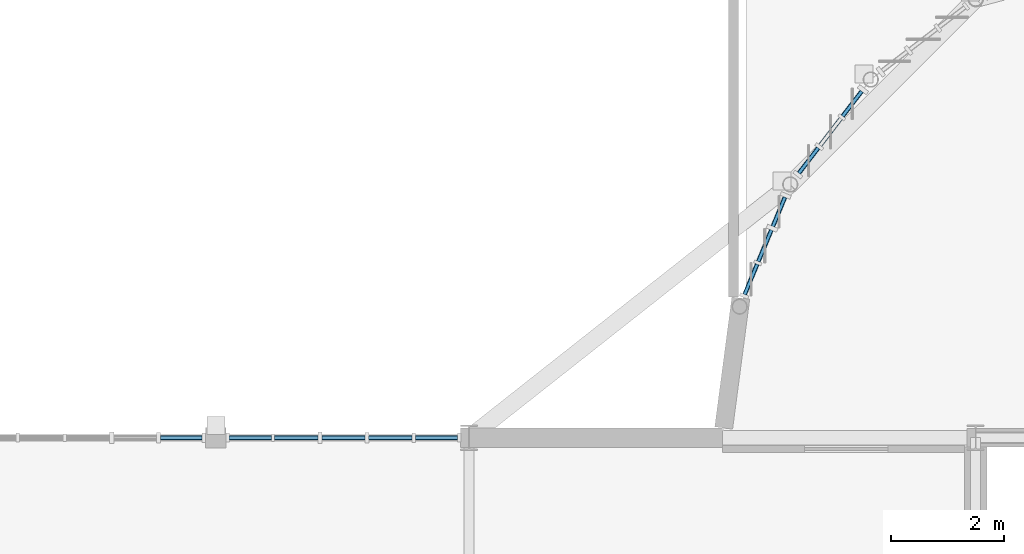
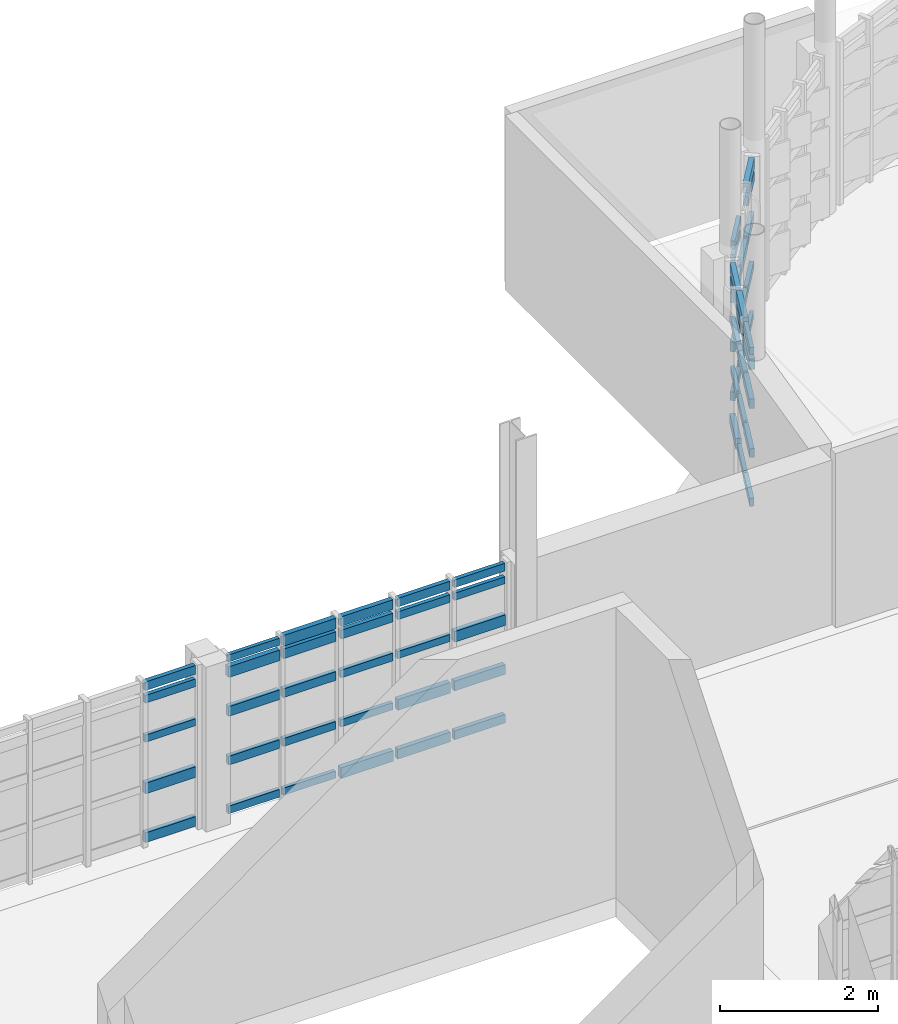
# One storey, part 23 of 44: 58 members, 4 elements without a shape of their own.
"""IFC4 building model written with IfcOpenShell, lengths in metres."""

from ifc_helpers import new_model, si_unit, direction, frame, origin, origin_2d, place, context, subcontext, project, spatial, rectangle, extrude, material, material_profile, profile_set, type_object, element, aggregate, save


model = new_model("IFC4")

# Units and contexts
model_context = context("Model", 3, precision=1e-05, world=origin(), true_north=direction((0.0, 1.0)))
body_context = subcontext(model_context, "Body", "Model", "MODEL_VIEW")
ifc_project = project(units=[si_unit("LENGTHUNIT", "METRE"), si_unit("AREAUNIT", "SQUARE_METRE"), si_unit("VOLUMEUNIT", "CUBIC_METRE"), si_unit("PLANEANGLEUNIT", "RADIAN"), si_unit("MASSUNIT", "GRAM", prefix="KILO")], contexts=[model_context])

# Site, building, storey
site_placement = place(None, origin())
site = spatial("IfcSite", under=ifc_project, at=site_placement, CompositionType="ELEMENT")
building_placement = place(site_placement, origin())
building = spatial("IfcBuilding", under=site, at=building_placement, Name="Serraforn Aerial Cableway Station", CompositionType="ELEMENT")
storey_placement = place(building_placement, frame((0.0, 0.0, 13.800048828125)))
storey = spatial("IfcBuildingStorey", under=building, at=storey_placement, Name="L03", CompositionType="ELEMENT", Elevation=13.800048828125)

# Curtain wall, members
ifc_material_1 = material(Name="Anodised bronze unitised curtain wall")
curtain_wall_type_1 = type_object("IfcCurtainWallType", Name="CW-SYS-19", PredefinedType="USERDEFINED", material=ifc_material_1)
curtain_wall_1_placement = place(storey_placement, origin())
curtain_wall_1 = element("IfcCurtainWall", 1, at=curtain_wall_1_placement, inside=storey, type_object=curtain_wall_type_1, Name="Unitised Curtain Wall CW-CV-L03-N2A", ObjectType="UNITISED CURTAIN WALL", PredefinedType="USERDEFINED")
ifc_material_2 = material(Name="Anodised bronze extruded aluminium", Category="aluminium")
ifc_material_profile_1 = material_profile(ifc_material_2, rectangle(XDim=0.054931640625, YDim=0.110107421875, at=origin_2d()), Name="CW TRANSOM 55x110")
ifc_profile_set_1 = profile_set([ifc_material_profile_1], Name="Anodised bronze extruded aluminium")
member_type_1 = type_object("IfcMemberType", Name="CW-TRN-1", PredefinedType="USERDEFINED", material=ifc_profile_set_1)
member_1_placement = place(storey_placement, frame((45.39404296875, 42.0, 2.243896484375), z_axis=(-1.0, 0.0, 0.0), x_axis=(0.0, -1.0, 0.0)))
member_1 = element("IfcMember", 2, at=member_1_placement, type_object=member_type_1, Name="Curtain Wall Transom CW-CV-L03-N2A-T1-4", ObjectType="TRANSOM", PredefinedType="USERDEFINED", context=body_context, shape_type="SweptSolid", body=[
    extrude(rectangle(XDim=0.054931640625, YDim=0.110107421875, at=origin_2d()), origin(), (0.0, 0.0, 1.0), 0.745849609375),
])
member_2_placement = place(storey_placement, frame((44.587158203125, 42.0, 1.6318359375), z_axis=(-1.0, 0.0, 0.0), x_axis=(0.0, -1.0, 0.0)))
member_2 = element("IfcMember", 3, at=member_2_placement, type_object=member_type_1, Name="Curtain Wall Transom CW-CV-L03-N2A-T2-3", ObjectType="TRANSOM", PredefinedType="USERDEFINED", context=body_context, shape_type="SweptSolid", body=[
    extrude(rectangle(XDim=0.054931640625, YDim=0.110107421875, at=origin_2d()), origin(), (0.0, 0.0, 1.0), 0.77099609375),
])
member_3_placement = place(storey_placement, frame((43.750244140625, 42.0, 0.866943359375), z_axis=(-1.0, 0.0, 0.0), x_axis=(0.0, -1.0, 0.0)))
member_3 = element("IfcMember", 4, at=member_3_placement, type_object=member_type_1, Name="Curtain Wall Transom CW-CV-L03-N2A-T3-2", ObjectType="TRANSOM", PredefinedType="USERDEFINED", context=body_context, shape_type="SweptSolid", body=[
    extrude(rectangle(XDim=0.054931640625, YDim=0.110107421875, at=origin_2d()), origin(), (0.0, 0.0, 1.0), 0.765869140625),
])
member_4_placement = place(storey_placement, frame((42.913330078125, 42.0, 0.10205078125), z_axis=(-1.0, 0.0, 0.0), x_axis=(0.0, -1.0, 0.0)))
member_4 = element("IfcMember", 5, at=member_4_placement, type_object=member_type_1, Name="Curtain Wall Transom CW-CV-L03-N2A-T4-1", ObjectType="TRANSOM", PredefinedType="USERDEFINED", context=body_context, shape_type="SweptSolid", body=[
    extrude(rectangle(XDim=0.054931640625, YDim=0.110107421875, at=origin_2d()), origin(), (0.0, 0.0, 1.0), 0.7734375),
])
member_5_placement = place(storey_placement, frame((42.0888671875, 42.0, 2.447998046875), z_axis=(-1.0, 0.0, 0.0), x_axis=(0.0, -1.0, 0.0)))
member_5 = element("IfcMember", 6, at=member_5_placement, type_object=member_type_1, Name="Curtain Wall Transom CW-CV-L03-N2A-T5-5", ObjectType="TRANSOM", PredefinedType="USERDEFINED", context=body_context, shape_type="SweptSolid", body=[
    extrude(rectangle(XDim=0.054931640625, YDim=0.110107421875, at=origin_2d()), origin(), (0.0, 0.0, 1.0), 0.7509765625),
])

# Curtain wall, member
curtain_wall_type_2 = type_object("IfcCurtainWallType", Name="CW-SYS-20", PredefinedType="USERDEFINED", material=ifc_material_1)
curtain_wall_2_placement = place(storey_placement, origin())
curtain_wall_2 = element("IfcCurtainWall", 7, at=curtain_wall_2_placement, inside=storey, type_object=curtain_wall_type_2, Name="Unitised Curtain Wall CW-CV-L03-N2B", ObjectType="UNITISED CURTAIN WALL", PredefinedType="USERDEFINED")
member_6_placement = place(storey_placement, frame((40.85693359375, 42.0, 1.6318359375), z_axis=(-1.0, 0.0, 0.0), x_axis=(0.0, -1.0, 0.0)))
member_6 = element("IfcMember", 8, at=member_6_placement, type_object=member_type_1, Name="Curtain Wall Transom CW-CV-L03-N2B-T1-3", ObjectType="TRANSOM", PredefinedType="USERDEFINED", context=body_context, shape_type="SweptSolid", body=[
    extrude(rectangle(XDim=0.054931640625, YDim=0.110107421875, at=origin_2d()), origin(), (0.0, 0.0, 1.0), 0.73828125),
])

# Curtain wall, members
curtain_wall_type_3 = type_object("IfcCurtainWallType", Name="CW-SYS-21", PredefinedType="USERDEFINED", material=ifc_material_1)
curtain_wall_3_placement = place(storey_placement, origin())
curtain_wall_3 = element("IfcCurtainWall", 9, at=curtain_wall_3_placement, inside=storey, type_object=curtain_wall_type_3, Name="Unitised Curtain Wall CW-AP-L03-R2", ObjectType="UNITISED CURTAIN WALL", PredefinedType="USERDEFINED")
member_7_placement = place(storey_placement, frame((51.21240234375, 46.2744140625, 0.866943359375), z_axis=(-0.382517967421, -0.923948052977, 0.0), x_axis=(0.923948052977, -0.382517967421, 0.0)))
member_7 = element("IfcMember", 10, at=member_7_placement, type_object=member_type_1, Name="Curtain Wall Transom CW-AP-L03-R2-T1-2", ObjectType="TRANSOM", PredefinedType="USERDEFINED", context=body_context, shape_type="SweptSolid", body=[
    extrude(rectangle(XDim=0.054931640625, YDim=0.110107421875, at=origin_2d()), origin(), (0.0, 0.0, 1.0), 0.562255859375),
])
member_8_placement = place(storey_placement, frame((50.969970703125, 45.689453125, 0.10205078125), z_axis=(-0.382435018796, -0.923982389658, 0.0), x_axis=(0.923982389658, -0.382435018796, 0.0)))
member_8 = element("IfcMember", 11, at=member_8_placement, type_object=member_type_1, Name="Curtain Wall Transom CW-AP-L03-R2-T2-1", ObjectType="TRANSOM", PredefinedType="USERDEFINED", context=body_context, shape_type="SweptSolid", body=[
    extrude(rectangle(XDim=0.054931640625, YDim=0.110107421875, at=origin_2d()), origin(), (0.0, 0.0, 1.0), 0.6044921875),
])
member_9_placement = place(storey_placement, frame((50.718994140625, 45.083740234375, 2.447998046875), z_axis=(-0.382499964393, -0.923955506093, 0.0), x_axis=(0.923955506093, -0.382499964393, 0.0)))
member_9 = element("IfcMember", 12, at=member_9_placement, type_object=member_type_1, Name="Curtain Wall Transom CW-AP-L03-R2-T3-5", ObjectType="TRANSOM", PredefinedType="USERDEFINED", context=body_context, shape_type="SweptSolid", body=[
    extrude(rectangle(XDim=0.054931640625, YDim=0.110107421875, at=origin_2d()), origin(), (0.0, 0.0, 1.0), 0.58203125),
])

curtain_wall_type_4 = type_object("IfcCurtainWallType", Name="CW-SYS-22", PredefinedType="USERDEFINED", material=ifc_material_1)
curtain_wall_4_placement = place(storey_placement, origin())
curtain_wall_4 = element("IfcCurtainWall", 13, at=curtain_wall_4_placement, inside=storey, type_object=curtain_wall_type_4, Name="Unitised Curtain Wall CW-AP-L03-R3", ObjectType="UNITISED CURTAIN WALL", PredefinedType="USERDEFINED")
member_10_placement = place(storey_placement, frame((52.576416015625, 48.15576171875, 0.10205078125), z_axis=(-0.609055526653, -0.7931275846, 0.0), x_axis=(0.7931275846, -0.609055526653, 0.0)))
member_10 = element("IfcMember", 14, at=member_10_placement, type_object=member_type_1, Name="Curtain Wall Transom CW-AP-L03-R3-T1-1", ObjectType="TRANSOM", PredefinedType="USERDEFINED", context=body_context, shape_type="SweptSolid", body=[
    extrude(rectangle(XDim=0.054931640625, YDim=0.110107421875, at=origin_2d()), origin(), (0.0, 0.0, 1.0), 0.558349609375),
])
member_11_placement = place(storey_placement, frame((51.803955078125, 47.149169921875, 2.243896484375), z_axis=(-0.608730383313, -0.793377161526, 0.0), x_axis=(0.793377161526, -0.608730383313, 0.0)))
member_11 = element("IfcMember", 15, at=member_11_placement, type_object=member_type_1, Name="Curtain Wall Transom CW-AP-L03-R3-T3-4", ObjectType="TRANSOM", PredefinedType="USERDEFINED", context=body_context, shape_type="SweptSolid", body=[
    extrude(rectangle(XDim=0.054931640625, YDim=0.110107421875, at=origin_2d()), origin(), (0.0, 0.0, 1.0), 0.56591796875),
])

# Member
ifc_material_profile_2 = material_profile(ifc_material_2, rectangle(XDim=0.06005859375, YDim=0.1201171875, at=origin_2d()), Name="CW TRANSOM 60x120")
ifc_profile_set_2 = profile_set([ifc_material_profile_2], Name="Anodised bronze extruded aluminium")
member_type_2 = type_object("IfcMemberType", Name="CW-TRN-2", PredefinedType="USERDEFINED", material=ifc_profile_set_2)
member_12_placement = place(storey_placement, frame((45.39404296875, 42.0, 2.447998046875), z_axis=(-1.0, 0.0, 0.0), x_axis=(0.0, -1.0, 0.0)))
member_12 = element("IfcMember", 16, at=member_12_placement, type_object=member_type_2, Name="Curtain Wall Transom CW-CV-L03-N2A-T1-5", ObjectType="TRANSOM", PredefinedType="USERDEFINED", context=body_context, shape_type="SweptSolid", body=[
    extrude(rectangle(XDim=0.06005859375, YDim=0.1201171875, at=origin_2d()), origin(), (0.0, 0.0, 1.0), 0.745849609375),
])

member_13_placement = place(storey_placement, frame((44.587158203125, 42.0, 2.243896484375), z_axis=(-1.0, 0.0, 0.0), x_axis=(0.0, -1.0, 0.0)))
member_13 = element("IfcMember", 17, at=member_13_placement, type_object=member_type_2, Name="Curtain Wall Transom CW-CV-L03-N2A-T2-4", ObjectType="TRANSOM", PredefinedType="USERDEFINED", context=body_context, shape_type="SweptSolid", body=[
    extrude(rectangle(XDim=0.06005859375, YDim=0.1201171875, at=origin_2d()), origin(), (0.0, 0.0, 1.0), 0.77099609375),
])

member_14_placement = place(storey_placement, frame((43.750244140625, 42.0, 1.6318359375), z_axis=(-1.0, 0.0, 0.0), x_axis=(0.0, -1.0, 0.0)))
member_14 = element("IfcMember", 18, at=member_14_placement, type_object=member_type_2, Name="Curtain Wall Transom CW-CV-L03-N2A-T3-3", ObjectType="TRANSOM", PredefinedType="USERDEFINED", context=body_context, shape_type="SweptSolid", body=[
    extrude(rectangle(XDim=0.06005859375, YDim=0.1201171875, at=origin_2d()), origin(), (0.0, 0.0, 1.0), 0.765869140625),
])

member_15_placement = place(storey_placement, frame((42.913330078125, 42.0, 0.866943359375), z_axis=(-1.0, 0.0, 0.0), x_axis=(0.0, -1.0, 0.0)))
member_15 = element("IfcMember", 19, at=member_15_placement, type_object=member_type_2, Name="Curtain Wall Transom CW-CV-L03-N2A-T4-2", ObjectType="TRANSOM", PredefinedType="USERDEFINED", context=body_context, shape_type="SweptSolid", body=[
    extrude(rectangle(XDim=0.06005859375, YDim=0.1201171875, at=origin_2d()), origin(), (0.0, 0.0, 1.0), 0.7734375),
])

member_16_placement = place(storey_placement, frame((42.0888671875, 42.0, 0.10205078125), z_axis=(-1.0, 0.0, 0.0), x_axis=(0.0, -1.0, 0.0)))
member_16 = element("IfcMember", 20, at=member_16_placement, type_object=member_type_2, Name="Curtain Wall Transom CW-CV-L03-N2A-T5-1", ObjectType="TRANSOM", PredefinedType="USERDEFINED", context=body_context, shape_type="SweptSolid", body=[
    extrude(rectangle(XDim=0.06005859375, YDim=0.1201171875, at=origin_2d()), origin(), (0.0, 0.0, 1.0), 0.7509765625),
])

member_17_placement = place(storey_placement, frame((40.85693359375, 42.0, 2.243896484375), z_axis=(-1.0, 0.0, 0.0), x_axis=(0.0, -1.0, 0.0)))
member_17 = element("IfcMember", 21, at=member_17_placement, type_object=member_type_2, Name="Curtain Wall Transom CW-CV-L03-N2B-T1-4", ObjectType="TRANSOM", PredefinedType="USERDEFINED", context=body_context, shape_type="SweptSolid", body=[
    extrude(rectangle(XDim=0.06005859375, YDim=0.1201171875, at=origin_2d()), origin(), (0.0, 0.0, 1.0), 0.73828125),
])

member_18_placement = place(storey_placement, frame((51.21240234375, 46.2744140625, 1.6318359375), z_axis=(-0.382517967421, -0.923948052977, 0.0), x_axis=(0.923948052977, -0.382517967421, 0.0)))
member_18 = element("IfcMember", 22, at=member_18_placement, type_object=member_type_2, Name="Curtain Wall Transom CW-AP-L03-R2-T1-3", ObjectType="TRANSOM", PredefinedType="USERDEFINED", context=body_context, shape_type="SweptSolid", body=[
    extrude(rectangle(XDim=0.06005859375, YDim=0.1201171875, at=origin_2d()), origin(), (0.0, 0.0, 1.0), 0.562255859375),
])

member_19_placement = place(storey_placement, frame((50.969970703125, 45.689453125, 0.866943359375), z_axis=(-0.382435018796, -0.923982389658, 0.0), x_axis=(0.923982389658, -0.382435018796, 0.0)))
member_19 = element("IfcMember", 23, at=member_19_placement, type_object=member_type_2, Name="Curtain Wall Transom CW-AP-L03-R2-T2-2", ObjectType="TRANSOM", PredefinedType="USERDEFINED", context=body_context, shape_type="SweptSolid", body=[
    extrude(rectangle(XDim=0.06005859375, YDim=0.1201171875, at=origin_2d()), origin(), (0.0, 0.0, 1.0), 0.6044921875),
])

member_20_placement = place(storey_placement, frame((50.718994140625, 45.083740234375, 0.10205078125), z_axis=(-0.382499964393, -0.923955506093, 0.0), x_axis=(0.923955506093, -0.382499964393, 0.0)))
member_20 = element("IfcMember", 24, at=member_20_placement, type_object=member_type_2, Name="Curtain Wall Transom CW-AP-L03-R2-T3-1", ObjectType="TRANSOM", PredefinedType="USERDEFINED", context=body_context, shape_type="SweptSolid", body=[
    extrude(rectangle(XDim=0.06005859375, YDim=0.1201171875, at=origin_2d()), origin(), (0.0, 0.0, 1.0), 0.58203125),
])

member_21_placement = place(storey_placement, frame((52.576416015625, 48.15576171875, 0.866943359375), z_axis=(-0.609055526653, -0.7931275846, 0.0), x_axis=(0.7931275846, -0.609055526653, 0.0)))
member_21 = element("IfcMember", 25, at=member_21_placement, type_object=member_type_2, Name="Curtain Wall Transom CW-AP-L03-R3-T1-2", ObjectType="TRANSOM", PredefinedType="USERDEFINED", context=body_context, shape_type="SweptSolid", body=[
    extrude(rectangle(XDim=0.06005859375, YDim=0.1201171875, at=origin_2d()), origin(), (0.0, 0.0, 1.0), 0.558349609375),
])

member_22_placement = place(storey_placement, frame((52.205322265625, 47.67236328125, 0.10205078125), z_axis=(-0.608830626569, -0.793300238341, 0.0), x_axis=(0.793300238341, -0.608830626569, 0.0)))
member_22 = element("IfcMember", 26, at=member_22_placement, type_object=member_type_2, Name="Curtain Wall Transom CW-AP-L03-R3-T2-1", ObjectType="TRANSOM", PredefinedType="USERDEFINED", context=body_context, shape_type="SweptSolid", body=[
    extrude(rectangle(XDim=0.06005859375, YDim=0.1201171875, at=origin_2d()), origin(), (0.0, 0.0, 1.0), 0.603515625),
])

member_23_placement = place(storey_placement, frame((51.803955078125, 47.149169921875, 2.447998046875), z_axis=(-0.608730383313, -0.793377161526, 0.0), x_axis=(0.793377161526, -0.608730383313, 0.0)))
member_23 = element("IfcMember", 27, at=member_23_placement, type_object=member_type_2, Name="Curtain Wall Transom CW-AP-L03-R3-T3-5", ObjectType="TRANSOM", PredefinedType="USERDEFINED", context=body_context, shape_type="SweptSolid", body=[
    extrude(rectangle(XDim=0.06005859375, YDim=0.1201171875, at=origin_2d()), origin(), (0.0, 0.0, 1.0), 0.56591796875),
])

ifc_material_profile_3 = material_profile(ifc_material_2, rectangle(XDim=0.06494140625, YDim=0.135009765625, at=origin_2d()), Name="CW TRANSOM 65x135")
ifc_profile_set_3 = profile_set([ifc_material_profile_3], Name="Anodised bronze extruded aluminium")
member_type_3 = type_object("IfcMemberType", Name="CW-TRN-3", PredefinedType="USERDEFINED", material=ifc_profile_set_3)
member_24_placement = place(storey_placement, frame((45.39404296875, 42.0, 0.10205078125), z_axis=(-1.0, 0.0, 0.0), x_axis=(0.0, -1.0, 0.0)))
member_24 = element("IfcMember", 28, at=member_24_placement, type_object=member_type_3, Name="Curtain Wall Transom CW-CV-L03-N2A-T1-1", ObjectType="TRANSOM", PredefinedType="USERDEFINED", context=body_context, shape_type="SweptSolid", body=[
    extrude(rectangle(XDim=0.06494140625, YDim=0.135009765625, at=origin_2d()), origin(), (0.0, 0.0, 1.0), 0.745849609375),
])

member_25_placement = place(storey_placement, frame((44.587158203125, 42.0, 2.447998046875), z_axis=(-1.0, 0.0, 0.0), x_axis=(0.0, -1.0, 0.0)))
member_25 = element("IfcMember", 29, at=member_25_placement, type_object=member_type_3, Name="Curtain Wall Transom CW-CV-L03-N2A-T2-5", ObjectType="TRANSOM", PredefinedType="USERDEFINED", context=body_context, shape_type="SweptSolid", body=[
    extrude(rectangle(XDim=0.06494140625, YDim=0.135009765625, at=origin_2d()), origin(), (0.0, 0.0, 1.0), 0.77099609375),
])

member_26_placement = place(storey_placement, frame((43.750244140625, 42.0, 2.243896484375), z_axis=(-1.0, 0.0, 0.0), x_axis=(0.0, -1.0, 0.0)))
member_26 = element("IfcMember", 30, at=member_26_placement, type_object=member_type_3, Name="Curtain Wall Transom CW-CV-L03-N2A-T3-4", ObjectType="TRANSOM", PredefinedType="USERDEFINED", context=body_context, shape_type="SweptSolid", body=[
    extrude(rectangle(XDim=0.06494140625, YDim=0.135009765625, at=origin_2d()), origin(), (0.0, 0.0, 1.0), 0.765869140625),
])

member_27_placement = place(storey_placement, frame((42.913330078125, 42.0, 1.6318359375), z_axis=(-1.0, 0.0, 0.0), x_axis=(0.0, -1.0, 0.0)))
member_27 = element("IfcMember", 31, at=member_27_placement, type_object=member_type_3, Name="Curtain Wall Transom CW-CV-L03-N2A-T4-3", ObjectType="TRANSOM", PredefinedType="USERDEFINED", context=body_context, shape_type="SweptSolid", body=[
    extrude(rectangle(XDim=0.06494140625, YDim=0.135009765625, at=origin_2d()), origin(), (0.0, 0.0, 1.0), 0.7734375),
])

member_28_placement = place(storey_placement, frame((42.0888671875, 42.0, 0.866943359375), z_axis=(-1.0, 0.0, 0.0), x_axis=(0.0, -1.0, 0.0)))
member_28 = element("IfcMember", 32, at=member_28_placement, type_object=member_type_3, Name="Curtain Wall Transom CW-CV-L03-N2A-T5-2", ObjectType="TRANSOM", PredefinedType="USERDEFINED", context=body_context, shape_type="SweptSolid", body=[
    extrude(rectangle(XDim=0.06494140625, YDim=0.135009765625, at=origin_2d()), origin(), (0.0, 0.0, 1.0), 0.7509765625),
])

member_29_placement = place(storey_placement, frame((40.85693359375, 42.0, 2.447998046875), z_axis=(-1.0, 0.0, 0.0), x_axis=(0.0, -1.0, 0.0)))
member_29 = element("IfcMember", 33, at=member_29_placement, type_object=member_type_3, Name="Curtain Wall Transom CW-CV-L03-N2B-T1-5", ObjectType="TRANSOM", PredefinedType="USERDEFINED", context=body_context, shape_type="SweptSolid", body=[
    extrude(rectangle(XDim=0.06494140625, YDim=0.135009765625, at=origin_2d()), origin(), (0.0, 0.0, 1.0), 0.73828125),
])

member_30_placement = place(storey_placement, frame((51.21240234375, 46.2744140625, 2.243896484375), z_axis=(-0.382517967421, -0.923948052977, 0.0), x_axis=(0.923948052977, -0.382517967421, 0.0)))
member_30 = element("IfcMember", 34, at=member_30_placement, type_object=member_type_3, Name="Curtain Wall Transom CW-AP-L03-R2-T1-4", ObjectType="TRANSOM", PredefinedType="USERDEFINED", context=body_context, shape_type="SweptSolid", body=[
    extrude(rectangle(XDim=0.06494140625, YDim=0.135009765625, at=origin_2d()), origin(), (0.0, 0.0, 1.0), 0.562255859375),
])

member_31_placement = place(storey_placement, frame((50.969970703125, 45.689453125, 1.6318359375), z_axis=(-0.382435018796, -0.923982389658, 0.0), x_axis=(0.923982389658, -0.382435018796, 0.0)))
member_31 = element("IfcMember", 35, at=member_31_placement, type_object=member_type_3, Name="Curtain Wall Transom CW-AP-L03-R2-T2-3", ObjectType="TRANSOM", PredefinedType="USERDEFINED", context=body_context, shape_type="SweptSolid", body=[
    extrude(rectangle(XDim=0.06494140625, YDim=0.135009765625, at=origin_2d()), origin(), (0.0, 0.0, 1.0), 0.6044921875),
])

member_32_placement = place(storey_placement, frame((50.718994140625, 45.083740234375, 0.866943359375), z_axis=(-0.382499964393, -0.923955506093, 0.0), x_axis=(0.923955506093, -0.382499964393, 0.0)))
member_32 = element("IfcMember", 36, at=member_32_placement, type_object=member_type_3, Name="Curtain Wall Transom CW-AP-L03-R2-T3-2", ObjectType="TRANSOM", PredefinedType="USERDEFINED", context=body_context, shape_type="SweptSolid", body=[
    extrude(rectangle(XDim=0.06494140625, YDim=0.135009765625, at=origin_2d()), origin(), (0.0, 0.0, 1.0), 0.58203125),
])

member_33_placement = place(storey_placement, frame((52.576416015625, 48.15576171875, 1.6318359375), z_axis=(-0.609055526653, -0.7931275846, 0.0), x_axis=(0.7931275846, -0.609055526653, 0.0)))
member_33 = element("IfcMember", 37, at=member_33_placement, type_object=member_type_3, Name="Curtain Wall Transom CW-AP-L03-R3-T1-3", ObjectType="TRANSOM", PredefinedType="USERDEFINED", context=body_context, shape_type="SweptSolid", body=[
    extrude(rectangle(XDim=0.06494140625, YDim=0.135009765625, at=origin_2d()), origin(), (0.0, 0.0, 1.0), 0.558349609375),
])

member_34_placement = place(storey_placement, frame((52.205322265625, 47.67236328125, 0.866943359375), z_axis=(-0.608830626569, -0.793300238341, 0.0), x_axis=(0.793300238341, -0.608830626569, 0.0)))
member_34 = element("IfcMember", 38, at=member_34_placement, type_object=member_type_3, Name="Curtain Wall Transom CW-AP-L03-R3-T2-2", ObjectType="TRANSOM", PredefinedType="USERDEFINED", context=body_context, shape_type="SweptSolid", body=[
    extrude(rectangle(XDim=0.06494140625, YDim=0.135009765625, at=origin_2d()), origin(), (0.0, 0.0, 1.0), 0.603515625),
])

member_35_placement = place(storey_placement, frame((51.803955078125, 47.149169921875, 0.10205078125), z_axis=(-0.608730383313, -0.793377161526, 0.0), x_axis=(0.793377161526, -0.608730383313, 0.0)))
member_35 = element("IfcMember", 39, at=member_35_placement, type_object=member_type_3, Name="Curtain Wall Transom CW-AP-L03-R3-T3-1", ObjectType="TRANSOM", PredefinedType="USERDEFINED", context=body_context, shape_type="SweptSolid", body=[
    extrude(rectangle(XDim=0.06494140625, YDim=0.135009765625, at=origin_2d()), origin(), (0.0, 0.0, 1.0), 0.56591796875),
])

ifc_material_profile_4 = material_profile(ifc_material_2, rectangle(XDim=0.070068359375, YDim=0.14990234375, at=origin_2d()), Name="CW TRANSOM 70x150")
ifc_profile_set_4 = profile_set([ifc_material_profile_4], Name="Anodised bronze extruded aluminium")
member_type_4 = type_object("IfcMemberType", Name="CW-TRN-4", PredefinedType="USERDEFINED", material=ifc_profile_set_4)
member_36_placement = place(storey_placement, frame((45.39404296875, 42.0, 0.866943359375), z_axis=(-1.0, 0.0, 0.0), x_axis=(0.0, -1.0, 0.0)))
member_36 = element("IfcMember", 40, at=member_36_placement, type_object=member_type_4, Name="Curtain Wall Transom CW-CV-L03-N2A-T1-2", ObjectType="TRANSOM", PredefinedType="USERDEFINED", context=body_context, shape_type="SweptSolid", body=[
    extrude(rectangle(XDim=0.070068359375, YDim=0.14990234375, at=origin_2d()), origin(), (0.0, 0.0, 1.0), 0.745849609375),
])

member_37_placement = place(storey_placement, frame((44.587158203125, 42.0, 0.10205078125), z_axis=(-1.0, 0.0, 0.0), x_axis=(0.0, -1.0, 0.0)))
member_37 = element("IfcMember", 41, at=member_37_placement, type_object=member_type_4, Name="Curtain Wall Transom CW-CV-L03-N2A-T2-1", ObjectType="TRANSOM", PredefinedType="USERDEFINED", context=body_context, shape_type="SweptSolid", body=[
    extrude(rectangle(XDim=0.070068359375, YDim=0.14990234375, at=origin_2d()), origin(), (0.0, 0.0, 1.0), 0.77099609375),
])

member_38_placement = place(storey_placement, frame((43.750244140625, 42.0, 2.447998046875), z_axis=(-1.0, 0.0, 0.0), x_axis=(0.0, -1.0, 0.0)))
member_38 = element("IfcMember", 42, at=member_38_placement, type_object=member_type_4, Name="Curtain Wall Transom CW-CV-L03-N2A-T3-5", ObjectType="TRANSOM", PredefinedType="USERDEFINED", context=body_context, shape_type="SweptSolid", body=[
    extrude(rectangle(XDim=0.070068359375, YDim=0.14990234375, at=origin_2d()), origin(), (0.0, 0.0, 1.0), 0.765869140625),
])

member_39_placement = place(storey_placement, frame((42.913330078125, 42.0, 2.243896484375), z_axis=(-1.0, 0.0, 0.0), x_axis=(0.0, -1.0, 0.0)))
member_39 = element("IfcMember", 43, at=member_39_placement, type_object=member_type_4, Name="Curtain Wall Transom CW-CV-L03-N2A-T4-4", ObjectType="TRANSOM", PredefinedType="USERDEFINED", context=body_context, shape_type="SweptSolid", body=[
    extrude(rectangle(XDim=0.070068359375, YDim=0.14990234375, at=origin_2d()), origin(), (0.0, 0.0, 1.0), 0.7734375),
])

member_40_placement = place(storey_placement, frame((42.0888671875, 42.0, 1.6318359375), z_axis=(-1.0, 0.0, 0.0), x_axis=(0.0, -1.0, 0.0)))
member_40 = element("IfcMember", 44, at=member_40_placement, type_object=member_type_4, Name="Curtain Wall Transom CW-CV-L03-N2A-T5-3", ObjectType="TRANSOM", PredefinedType="USERDEFINED", context=body_context, shape_type="SweptSolid", body=[
    extrude(rectangle(XDim=0.070068359375, YDim=0.14990234375, at=origin_2d()), origin(), (0.0, 0.0, 1.0), 0.7509765625),
])

member_41_placement = place(storey_placement, frame((40.85693359375, 42.0, 0.10205078125), z_axis=(-1.0, 0.0, 0.0), x_axis=(0.0, -1.0, 0.0)))
member_41 = element("IfcMember", 45, at=member_41_placement, type_object=member_type_4, Name="Curtain Wall Transom CW-CV-L03-N2B-T1-1", ObjectType="TRANSOM", PredefinedType="USERDEFINED", context=body_context, shape_type="SweptSolid", body=[
    extrude(rectangle(XDim=0.070068359375, YDim=0.14990234375, at=origin_2d()), origin(), (0.0, 0.0, 1.0), 0.73828125),
])

member_42_placement = place(storey_placement, frame((51.21240234375, 46.2744140625, 2.447998046875), z_axis=(-0.382517967421, -0.923948052977, 0.0), x_axis=(0.923948052977, -0.382517967421, 0.0)))
member_42 = element("IfcMember", 46, at=member_42_placement, type_object=member_type_4, Name="Curtain Wall Transom CW-AP-L03-R2-T1-5", ObjectType="TRANSOM", PredefinedType="USERDEFINED", context=body_context, shape_type="SweptSolid", body=[
    extrude(rectangle(XDim=0.070068359375, YDim=0.14990234375, at=origin_2d()), origin(), (0.0, 0.0, 1.0), 0.562255859375),
])

member_43_placement = place(storey_placement, frame((50.969970703125, 45.689453125, 2.243896484375), z_axis=(-0.382435018796, -0.923982389658, 0.0), x_axis=(0.923982389658, -0.382435018796, 0.0)))
member_43 = element("IfcMember", 47, at=member_43_placement, type_object=member_type_4, Name="Curtain Wall Transom CW-AP-L03-R2-T2-4", ObjectType="TRANSOM", PredefinedType="USERDEFINED", context=body_context, shape_type="SweptSolid", body=[
    extrude(rectangle(XDim=0.070068359375, YDim=0.14990234375, at=origin_2d()), origin(), (0.0, 0.0, 1.0), 0.6044921875),
])

member_44_placement = place(storey_placement, frame((50.718994140625, 45.083740234375, 1.6318359375), z_axis=(-0.382499964393, -0.923955506093, 0.0), x_axis=(0.923955506093, -0.382499964393, 0.0)))
member_44 = element("IfcMember", 48, at=member_44_placement, type_object=member_type_4, Name="Curtain Wall Transom CW-AP-L03-R2-T3-3", ObjectType="TRANSOM", PredefinedType="USERDEFINED", context=body_context, shape_type="SweptSolid", body=[
    extrude(rectangle(XDim=0.070068359375, YDim=0.14990234375, at=origin_2d()), origin(), (0.0, 0.0, 1.0), 0.58203125),
])

member_45_placement = place(storey_placement, frame((52.576416015625, 48.15576171875, 2.243896484375), z_axis=(-0.609055526653, -0.7931275846, 0.0), x_axis=(0.7931275846, -0.609055526653, 0.0)))
member_45 = element("IfcMember", 49, at=member_45_placement, type_object=member_type_4, Name="Curtain Wall Transom CW-AP-L03-R3-T1-4", ObjectType="TRANSOM", PredefinedType="USERDEFINED", context=body_context, shape_type="SweptSolid", body=[
    extrude(rectangle(XDim=0.070068359375, YDim=0.14990234375, at=origin_2d()), origin(), (0.0, 0.0, 1.0), 0.558349609375),
])

member_46_placement = place(storey_placement, frame((52.205322265625, 47.67236328125, 1.6318359375), z_axis=(-0.608830626569, -0.793300238341, 0.0), x_axis=(0.793300238341, -0.608830626569, 0.0)))
member_46 = element("IfcMember", 50, at=member_46_placement, type_object=member_type_4, Name="Curtain Wall Transom CW-AP-L03-R3-T2-3", ObjectType="TRANSOM", PredefinedType="USERDEFINED", context=body_context, shape_type="SweptSolid", body=[
    extrude(rectangle(XDim=0.070068359375, YDim=0.14990234375, at=origin_2d()), origin(), (0.0, 0.0, 1.0), 0.603515625),
])

member_47_placement = place(storey_placement, frame((51.803955078125, 47.149169921875, 0.866943359375), z_axis=(-0.608730383313, -0.793377161526, 0.0), x_axis=(0.793377161526, -0.608730383313, 0.0)))
member_47 = element("IfcMember", 51, at=member_47_placement, type_object=member_type_4, Name="Curtain Wall Transom CW-AP-L03-R3-T3-2", ObjectType="TRANSOM", PredefinedType="USERDEFINED", context=body_context, shape_type="SweptSolid", body=[
    extrude(rectangle(XDim=0.070068359375, YDim=0.14990234375, at=origin_2d()), origin(), (0.0, 0.0, 1.0), 0.56591796875),
])

ifc_material_profile_5 = material_profile(ifc_material_2, rectangle(XDim=0.074951171875, YDim=0.1650390625, at=origin_2d()), Name="CW TRANSOM 75x165")
ifc_profile_set_5 = profile_set([ifc_material_profile_5], Name="Anodised bronze extruded aluminium")
member_type_5 = type_object("IfcMemberType", Name="CW-TRN-5", PredefinedType="USERDEFINED", material=ifc_profile_set_5)
member_48_placement = place(storey_placement, frame((45.39404296875, 42.0, 1.6318359375), z_axis=(-1.0, 0.0, 0.0), x_axis=(0.0, -1.0, 0.0)))
member_48 = element("IfcMember", 52, at=member_48_placement, type_object=member_type_5, Name="Curtain Wall Transom CW-CV-L03-N2A-T1-3", ObjectType="TRANSOM", PredefinedType="USERDEFINED", context=body_context, shape_type="SweptSolid", body=[
    extrude(rectangle(XDim=0.074951171875, YDim=0.1650390625, at=origin_2d()), origin(), (0.0, 0.0, 1.0), 0.745849609375),
])

member_49_placement = place(storey_placement, frame((44.587158203125, 42.0, 0.866943359375), z_axis=(-1.0, 0.0, 0.0), x_axis=(0.0, -1.0, 0.0)))
member_49 = element("IfcMember", 53, at=member_49_placement, type_object=member_type_5, Name="Curtain Wall Transom CW-CV-L03-N2A-T2-2", ObjectType="TRANSOM", PredefinedType="USERDEFINED", context=body_context, shape_type="SweptSolid", body=[
    extrude(rectangle(XDim=0.074951171875, YDim=0.1650390625, at=origin_2d()), origin(), (0.0, 0.0, 1.0), 0.77099609375),
])

member_50_placement = place(storey_placement, frame((43.750244140625, 42.0, 0.10205078125), z_axis=(-1.0, 0.0, 0.0), x_axis=(0.0, -1.0, 0.0)))
member_50 = element("IfcMember", 54, at=member_50_placement, type_object=member_type_5, Name="Curtain Wall Transom CW-CV-L03-N2A-T3-1", ObjectType="TRANSOM", PredefinedType="USERDEFINED", context=body_context, shape_type="SweptSolid", body=[
    extrude(rectangle(XDim=0.074951171875, YDim=0.1650390625, at=origin_2d()), origin(), (0.0, 0.0, 1.0), 0.765869140625),
])

member_51_placement = place(storey_placement, frame((42.913330078125, 42.0, 2.447998046875), z_axis=(-1.0, 0.0, 0.0), x_axis=(0.0, -1.0, 0.0)))
member_51 = element("IfcMember", 55, at=member_51_placement, type_object=member_type_5, Name="Curtain Wall Transom CW-CV-L03-N2A-T4-5", ObjectType="TRANSOM", PredefinedType="USERDEFINED", context=body_context, shape_type="SweptSolid", body=[
    extrude(rectangle(XDim=0.074951171875, YDim=0.1650390625, at=origin_2d()), origin(), (0.0, 0.0, 1.0), 0.7734375),
])

member_52_placement = place(storey_placement, frame((42.0888671875, 42.0, 2.243896484375), z_axis=(-1.0, 0.0, 0.0), x_axis=(0.0, -1.0, 0.0)))
member_52 = element("IfcMember", 56, at=member_52_placement, type_object=member_type_5, Name="Curtain Wall Transom CW-CV-L03-N2A-T5-4", ObjectType="TRANSOM", PredefinedType="USERDEFINED", context=body_context, shape_type="SweptSolid", body=[
    extrude(rectangle(XDim=0.074951171875, YDim=0.1650390625, at=origin_2d()), origin(), (0.0, 0.0, 1.0), 0.7509765625),
])

aggregate(curtain_wall_1, [member_24, member_36, member_48, member_1, member_12, member_37, member_49, member_2, member_13, member_25, member_50, member_3, member_14, member_26, member_38, member_4, member_15, member_27, member_39, member_51, member_16, member_28, member_40, member_52, member_5])

member_53_placement = place(storey_placement, frame((40.85693359375, 42.0, 0.866943359375), z_axis=(-1.0, 0.0, 0.0), x_axis=(0.0, -1.0, 0.0)))
member_53 = element("IfcMember", 57, at=member_53_placement, type_object=member_type_5, Name="Curtain Wall Transom CW-CV-L03-N2B-T1-2", ObjectType="TRANSOM", PredefinedType="USERDEFINED", context=body_context, shape_type="SweptSolid", body=[
    extrude(rectangle(XDim=0.074951171875, YDim=0.1650390625, at=origin_2d()), origin(), (0.0, 0.0, 1.0), 0.73828125),
])

aggregate(curtain_wall_2, [member_41, member_53, member_6, member_17, member_29])

member_54_placement = place(storey_placement, frame((51.21240234375, 46.2744140625, 0.10205078125), z_axis=(-0.382517967421, -0.923948052977, 0.0), x_axis=(0.923948052977, -0.382517967421, 0.0)))
member_54 = element("IfcMember", 58, at=member_54_placement, type_object=member_type_5, Name="Curtain Wall Transom CW-AP-L03-R2-T1-1", ObjectType="TRANSOM", PredefinedType="USERDEFINED", context=body_context, shape_type="SweptSolid", body=[
    extrude(rectangle(XDim=0.074951171875, YDim=0.1650390625, at=origin_2d()), origin(), (0.0, 0.0, 1.0), 0.562255859375),
])

member_55_placement = place(storey_placement, frame((50.969970703125, 45.689453125, 2.447998046875), z_axis=(-0.382435018796, -0.923982389658, 0.0), x_axis=(0.923982389658, -0.382435018796, 0.0)))
member_55 = element("IfcMember", 59, at=member_55_placement, type_object=member_type_5, Name="Curtain Wall Transom CW-AP-L03-R2-T2-5", ObjectType="TRANSOM", PredefinedType="USERDEFINED", context=body_context, shape_type="SweptSolid", body=[
    extrude(rectangle(XDim=0.074951171875, YDim=0.1650390625, at=origin_2d()), origin(), (0.0, 0.0, 1.0), 0.6044921875),
])

member_56_placement = place(storey_placement, frame((50.718994140625, 45.083740234375, 2.243896484375), z_axis=(-0.382499964393, -0.923955506093, 0.0), x_axis=(0.923955506093, -0.382499964393, 0.0)))
member_56 = element("IfcMember", 60, at=member_56_placement, type_object=member_type_5, Name="Curtain Wall Transom CW-AP-L03-R2-T3-4", ObjectType="TRANSOM", PredefinedType="USERDEFINED", context=body_context, shape_type="SweptSolid", body=[
    extrude(rectangle(XDim=0.074951171875, YDim=0.1650390625, at=origin_2d()), origin(), (0.0, 0.0, 1.0), 0.58203125),
])

aggregate(curtain_wall_3, [member_54, member_7, member_18, member_30, member_42, member_8, member_19, member_31, member_43, member_55, member_20, member_32, member_44, member_56, member_9])

member_57_placement = place(storey_placement, frame((52.576416015625, 48.15576171875, 2.447998046875), z_axis=(-0.609055526653, -0.7931275846, 0.0), x_axis=(0.7931275846, -0.609055526653, 0.0)))
member_57 = element("IfcMember", 61, at=member_57_placement, type_object=member_type_5, Name="Curtain Wall Transom CW-AP-L03-R3-T1-5", ObjectType="TRANSOM", PredefinedType="USERDEFINED", context=body_context, shape_type="SweptSolid", body=[
    extrude(rectangle(XDim=0.074951171875, YDim=0.1650390625, at=origin_2d()), origin(), (0.0, 0.0, 1.0), 0.558349609375),
])

member_58_placement = place(storey_placement, frame((51.803955078125, 47.149169921875, 1.6318359375), z_axis=(-0.608730383313, -0.793377161526, 0.0), x_axis=(0.793377161526, -0.608730383313, 0.0)))
member_58 = element("IfcMember", 62, at=member_58_placement, type_object=member_type_5, Name="Curtain Wall Transom CW-AP-L03-R3-T3-3", ObjectType="TRANSOM", PredefinedType="USERDEFINED", context=body_context, shape_type="SweptSolid", body=[
    extrude(rectangle(XDim=0.074951171875, YDim=0.1650390625, at=origin_2d()), origin(), (0.0, 0.0, 1.0), 0.56591796875),
])

aggregate(curtain_wall_4, [member_10, member_21, member_33, member_45, member_57, member_22, member_34, member_46, member_35, member_47, member_58, member_11, member_23])

save(model, "model.ifc")
